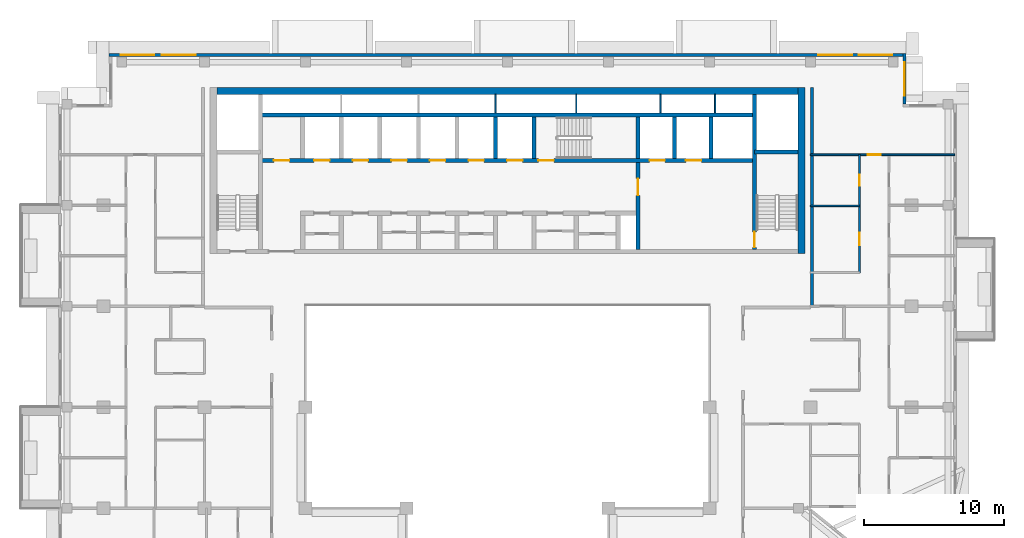
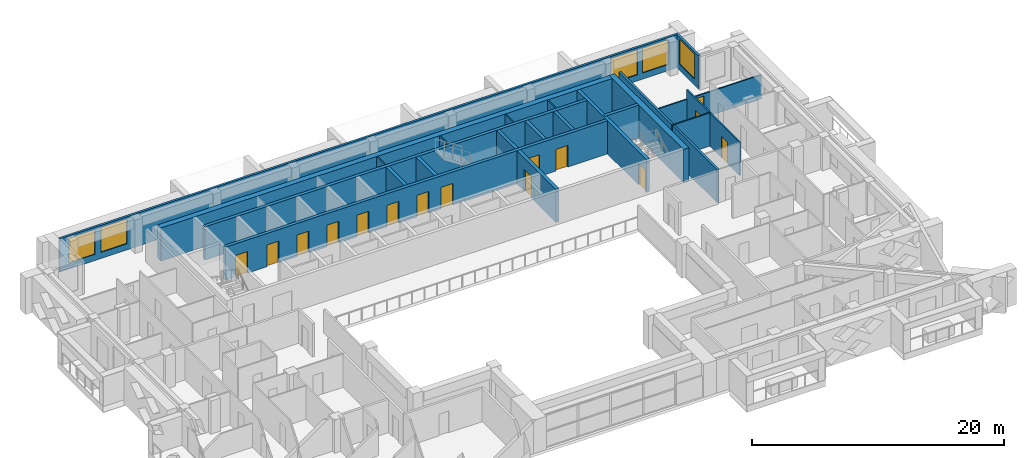
# One storey, part 11 of 19: 22 walls, 15 doors, 5 windows, 20 openings.
"""IFC4 building model written with IfcOpenShell, lengths in metres."""

from ifc_helpers import new_model, si_unit, direction, frame, frame_2d, origin, place, context, subcontext, project, spatial, rectangle, extrude, material, layer, layer_set, type_object, element, fill, save


model = new_model("IFC4")

# Units and contexts
model_context = context("Model", 3, precision=1e-05, world=origin(), true_north=direction((0.0, 1.0)))
body_context = subcontext(model_context, "Body", "Model", "MODEL_VIEW")
ifc_project = project(units=[si_unit("LENGTHUNIT", "METRE"), si_unit("AREAUNIT", "SQUARE_METRE"), si_unit("VOLUMEUNIT", "CUBIC_METRE"), si_unit("PLANEANGLEUNIT", "RADIAN"), si_unit("MASSUNIT", "GRAM", prefix="KILO")], contexts=[model_context])

# Site, building, storey
site_placement = place(None, origin())
site = spatial("IfcSite", under=ifc_project, at=site_placement, CompositionType="ELEMENT")
building_placement = place(site_placement, origin())
building = spatial("IfcBuilding", under=site, at=building_placement, Name="Saffron Iwan Residences", CompositionType="ELEMENT")
storey_placement = place(building_placement, frame((0.0, 0.0, 225.5)))
storey = spatial("IfcBuildingStorey", under=building, at=storey_placement, Name="L60", CompositionType="ELEMENT", Elevation=225.5)

# Wall, opening, window
ifc_material_1 = material(Name="Concrete C40/50", Category="concrete")
ifc_layer_1 = layer(ifc_material_1, 0.199951171875)
ifc_layer_set_1 = layer_set([ifc_layer_1], Name="Concrete C40/50")
wall_type_1 = type_object("IfcWallType", Name="EXTERNAL WALL 200", PredefinedType="SOLIDWALL", material=ifc_layer_set_1)
wall_1_placement = place(storey_placement, frame((78.699951171875, 76.800048828125, 0.0), z_axis=(0.0, 0.0, 1.0), x_axis=(0.0, 1.0, 0.0)))
wall_1 = element("IfcWall", 1, at=wall_1_placement, inside=storey, type_object=wall_type_1, Name="External wall L60 F4.0", PredefinedType="SOLIDWALL", context=body_context, shape_type="SweptSolid", body=[
    extrude(rectangle(XDim=3.599853515625, YDim=0.199951171875, at=frame_2d((1.7998046875, 0.0))), origin(), (0.0, 0.0, 1.0), 3.219970703125),
])
opening_1_placement = place(wall_1_placement, frame((0.60009765625, 0.0, 0.60009765625)))
opening_1 = element("IfcOpeningElement", 2, at=opening_1_placement, cuts=wall_1, Name="Opening W1", PredefinedType="OPENING", context=body_context, shape_type="SweptSolid", body=[
    extrude(rectangle(XDim=2.39990234375, YDim=2.39990234375, at=frame_2d((1.199951171875, 1.199951171875))), frame((0.0, 0.10986328125, 0.0), z_axis=(0.0, -1.0, 0.0), x_axis=(1.0, 0.0, 0.0)), (0.0, 0.0, 1.0), 0.219970703125),
])
ifc_material_2 = material(Name="Clear glass, laminated double glazed", Category="glass")
window_type = type_object("IfcWindowType", Name="WINDOW 2400 x 2400", PartitioningType="DOUBLE_PANEL_VERTICAL", PredefinedType="WINDOW", material=ifc_material_2)
window_1_placement = place(opening_1_placement, origin())
window_1 = element("IfcWindow", 3, at=window_1_placement, inside=storey, type_object=window_type, Name="Window L60 F4.0", OverallHeight=2.39990234375, OverallWidth=2.39990234375, PartitioningType="DOUBLE_PANEL_VERTICAL", PredefinedType="WINDOW", context=body_context, shape_type="SweptSolid", body=[
    extrude(rectangle(XDim=2.39990234375, YDim=2.39990234375, at=frame_2d((1.199951171875, 1.199951171875))), frame((0.0, 0.030029296875, 0.0), z_axis=(0.0, -1.0, 0.0), x_axis=(1.0, 0.0, 0.0)), (0.0, 0.0, 1.0), 0.06005859375),
])
fill(opening_1, window_1)

# Wall, openings, windows
wall_2_placement = place(storey_placement, frame((78.60009765625, 80.300048828125, 0.0), z_axis=(0.0, 0.0, 1.0), x_axis=(-1.0, 0.0, 0.0)))
wall_2 = element("IfcWall", 4, at=wall_2_placement, inside=storey, type_object=wall_type_1, Name="External wall L60 F5.0", PredefinedType="SOLIDWALL", context=body_context, shape_type="SweptSolid", body=[
    extrude(rectangle(XDim=56.60009765625, YDim=0.199951171875, at=frame_2d((28.300048828125, 0.0))), origin(), (0.0, 0.0, 1.0), 3.219970703125),
])
opening_2_placement = place(wall_2_placement, frame((50.433349609375, 0.0, 0.60009765625)))
opening_2 = element("IfcOpeningElement", 5, at=opening_2_placement, cuts=wall_2, Name="Opening W1", PredefinedType="OPENING", context=body_context, shape_type="SweptSolid", body=[
    extrude(rectangle(XDim=2.39990234375, YDim=2.39990234375, at=frame_2d((1.199951171875, 1.199951171875))), frame((0.0, 0.10986328125, 0.0), z_axis=(0.0, -1.0, 0.0), x_axis=(1.0, 0.0, 0.0)), (0.0, 0.0, 1.0), 0.219970703125),
])
opening_3_placement = place(wall_2_placement, frame((53.36669921875, 0.0, 0.60009765625)))
opening_3 = element("IfcOpeningElement", 6, at=opening_3_placement, cuts=wall_2, Name="Opening W1", PredefinedType="OPENING", context=body_context, shape_type="SweptSolid", body=[
    extrude(rectangle(XDim=2.39990234375, YDim=2.39990234375, at=frame_2d((1.199951171875, 1.199951171875))), frame((0.0, 0.10986328125, 0.0), z_axis=(0.0, -1.0, 0.0), x_axis=(1.0, 0.0, 0.0)), (0.0, 0.0, 1.0), 0.219970703125),
])
opening_4_placement = place(wall_2_placement, frame((0.7666015625, 0.0, 0.60009765625)))
opening_4 = element("IfcOpeningElement", 7, at=opening_4_placement, cuts=wall_2, Name="Opening W1", PredefinedType="OPENING", context=body_context, shape_type="SweptSolid", body=[
    extrude(rectangle(XDim=2.39990234375, YDim=2.39990234375, at=frame_2d((1.199951171875, 1.199951171875))), frame((0.0, 0.10986328125, 0.0), z_axis=(0.0, -1.0, 0.0), x_axis=(1.0, 0.0, 0.0)), (0.0, 0.0, 1.0), 0.219970703125),
])
opening_5_placement = place(wall_2_placement, frame((3.63330078125, 0.0, 0.60009765625)))
opening_5 = element("IfcOpeningElement", 8, at=opening_5_placement, cuts=wall_2, Name="Opening W1", PredefinedType="OPENING", context=body_context, shape_type="SweptSolid", body=[
    extrude(rectangle(XDim=2.39990234375, YDim=2.39990234375, at=frame_2d((1.199951171875, 1.199951171875))), frame((0.0, 0.10986328125, 0.0), z_axis=(0.0, -1.0, 0.0), x_axis=(1.0, 0.0, 0.0)), (0.0, 0.0, 1.0), 0.219970703125),
])
window_2_placement = place(opening_2_placement, origin())
window_2 = element("IfcWindow", 9, at=window_2_placement, inside=storey, type_object=window_type, Name="Window L60 F5.0", OverallHeight=2.39990234375, OverallWidth=2.39990234375, PartitioningType="DOUBLE_PANEL_VERTICAL", PredefinedType="WINDOW", context=body_context, shape_type="SweptSolid", body=[
    extrude(rectangle(XDim=2.39990234375, YDim=2.39990234375, at=frame_2d((1.199951171875, 1.199951171875))), frame((0.0, 0.030029296875, 0.0), z_axis=(0.0, -1.0, 0.0), x_axis=(1.0, 0.0, 0.0)), (0.0, 0.0, 1.0), 0.06005859375),
])
fill(opening_2, window_2)
window_3_placement = place(opening_3_placement, origin())
window_3 = element("IfcWindow", 10, at=window_3_placement, inside=storey, type_object=window_type, Name="Window L60 F5.1", OverallHeight=2.39990234375, OverallWidth=2.39990234375, PartitioningType="DOUBLE_PANEL_VERTICAL", PredefinedType="WINDOW", context=body_context, shape_type="SweptSolid", body=[
    extrude(rectangle(XDim=2.39990234375, YDim=2.39990234375, at=frame_2d((1.199951171875, 1.199951171875))), frame((0.0, 0.030029296875, 0.0), z_axis=(0.0, -1.0, 0.0), x_axis=(1.0, 0.0, 0.0)), (0.0, 0.0, 1.0), 0.06005859375),
])
fill(opening_3, window_3)
window_4_placement = place(opening_4_placement, origin())
window_4 = element("IfcWindow", 11, at=window_4_placement, inside=storey, type_object=window_type, Name="Window L60 F5.2", OverallHeight=2.39990234375, OverallWidth=2.39990234375, PartitioningType="DOUBLE_PANEL_VERTICAL", PredefinedType="WINDOW", context=body_context, shape_type="SweptSolid", body=[
    extrude(rectangle(XDim=2.39990234375, YDim=2.39990234375, at=frame_2d((1.199951171875, 1.199951171875))), frame((0.0, 0.030029296875, 0.0), z_axis=(0.0, -1.0, 0.0), x_axis=(1.0, 0.0, 0.0)), (0.0, 0.0, 1.0), 0.06005859375),
])
fill(opening_4, window_4)
window_5_placement = place(opening_5_placement, origin())
window_5 = element("IfcWindow", 12, at=window_5_placement, inside=storey, type_object=window_type, Name="Window L60 F5.3", OverallHeight=2.39990234375, OverallWidth=2.39990234375, PartitioningType="DOUBLE_PANEL_VERTICAL", PredefinedType="WINDOW", context=body_context, shape_type="SweptSolid", body=[
    extrude(rectangle(XDim=2.39990234375, YDim=2.39990234375, at=frame_2d((1.199951171875, 1.199951171875))), frame((0.0, 0.030029296875, 0.0), z_axis=(0.0, -1.0, 0.0), x_axis=(1.0, 0.0, 0.0)), (0.0, 0.0, 1.0), 0.06005859375),
])
fill(opening_5, window_5)

# Wall
ifc_material_3 = material(Name="Gypsum board partition")
ifc_layer_2 = layer(ifc_material_3, 0.1201171875)
ifc_layer_set_2 = layer_set([ifc_layer_2], Name="Gypsum board partition")
wall_type_2 = type_object("IfcWallType", Name="Flat partition 120", PredefinedType="PARTITIONING", material=ifc_layer_set_2)
wall_3_placement = place(storey_placement, frame((72.0, 69.550048828125, 0.0), z_axis=(0.0, 0.0, 1.0), x_axis=(1.0, 0.0, 0.0)))
element("IfcWall", 13, at=wall_3_placement, inside=storey, type_object=wall_type_2, Name="W-L60-PART-h69.55-72", PredefinedType="PARTITIONING", context=body_context, shape_type="SweptSolid", body=[
    extrude(rectangle(XDim=3.5, YDim=0.1201171875, at=frame_2d((1.75, 0.0))), origin(), (0.0, 0.0, 1.0), 3.219970703125),
])

# Wall, opening, door
wall_4_placement = place(storey_placement, frame((72.0, 73.199951171875, 0.0), z_axis=(0.0, 0.0, 1.0), x_axis=(1.0, 0.0, 0.0)))
wall_4 = element("IfcWall", 14, at=wall_4_placement, inside=storey, type_object=wall_type_2, Name="W-L60-PART-h73.2-72", PredefinedType="PARTITIONING", context=body_context, shape_type="SweptSolid", body=[
    extrude(rectangle(XDim=10.27490234375, YDim=0.1201171875, at=frame_2d((5.137451171875, 0.0))), origin(), (0.0, 0.0, 1.0), 2.320068359375),
])
opening_6_placement = place(wall_4_placement, frame((4.10009765625, 0.0, 0.0)))
opening_6 = element("IfcOpeningElement", 15, at=opening_6_placement, cuts=wall_4, Name="Opening FD2", PredefinedType="OPENING", context=body_context, shape_type="SweptSolid", body=[
    extrude(rectangle(XDim=0.89990234375, YDim=2.10009765625, at=frame_2d((0.449951171875, 1.050048828125))), frame((0.0, 0.070068359375, 0.0), z_axis=(0.0, -1.0, 0.0), x_axis=(1.0, 0.0, 0.0)), (0.0, 0.0, 1.0), 0.14013671875),
])
ifc_material_4 = material(Name="Timber door", Category="wood")
door_type_1 = type_object("IfcDoorType", Name="Flat door 900", OperationType="NOTDEFINED", PredefinedType="DOOR", material=ifc_material_4)
door_1_placement = place(opening_6_placement, origin())
door_1 = element("IfcDoor", 16, at=door_1_placement, inside=storey, type_object=door_type_1, Name="Door L60-037", OperationType="SINGLE_SWING_RIGHT", OverallHeight=2.10009765625, OverallWidth=0.89990234375, PredefinedType="DOOR", context=body_context, shape_type="SweptSolid", body=[
    extrude(rectangle(XDim=0.89990234375, YDim=2.10009765625, at=frame_2d((0.449951171875, 1.050048828125))), frame((0.0, 0.02490234375, 0.0), z_axis=(0.0, -1.0, 0.0), x_axis=(1.0, 0.0, 0.0)), (0.0, 0.0, 1.0), 0.050048828125),
])
fill(opening_6, door_1)

# Wall, openings, doors
wall_5_placement = place(storey_placement, frame((75.5, 64.800048828125, 0.0), z_axis=(0.0, 0.0, 1.0), x_axis=(0.0, 1.0, 0.0)))
wall_5 = element("IfcWall", 17, at=wall_5_placement, inside=storey, type_object=wall_type_2, Name="W-L60-PART-v75.5-64.8", PredefinedType="PARTITIONING", context=body_context, shape_type="SweptSolid", body=[
    extrude(rectangle(XDim=8.39990234375, YDim=0.1201171875, at=frame_2d((4.199951171875, 0.0))), origin(), (0.0, 0.0, 1.0), 3.219970703125),
])
opening_7_placement = place(wall_5_placement, frame((1.925048828125, 0.0, 0.0)))
opening_7 = element("IfcOpeningElement", 18, at=opening_7_placement, cuts=wall_5, Name="Opening FD2", PredefinedType="OPENING", context=body_context, shape_type="SweptSolid", body=[
    extrude(rectangle(XDim=0.89990234375, YDim=2.10009765625, at=frame_2d((0.449951171875, 1.050048828125))), frame((0.0, 0.070068359375, 0.0), z_axis=(0.0, -1.0, 0.0), x_axis=(1.0, 0.0, 0.0)), (0.0, 0.0, 1.0), 0.14013671875),
])
opening_8_placement = place(wall_5_placement, frame((6.175048828125, 0.0, 0.0)))
opening_8 = element("IfcOpeningElement", 19, at=opening_8_placement, cuts=wall_5, Name="Opening FD3", PredefinedType="OPENING", context=body_context, shape_type="SweptSolid", body=[
    extrude(rectangle(XDim=0.800048828125, YDim=2.10009765625, at=frame_2d((0.39990234375, 1.050048828125))), frame((0.0, 0.070068359375, 0.0), z_axis=(0.0, -1.0, 0.0), x_axis=(1.0, 0.0, 0.0)), (0.0, 0.0, 1.0), 0.14013671875),
])
door_type_2 = type_object("IfcDoorType", Name="Bathroom door 800", OperationType="NOTDEFINED", PredefinedType="DOOR", material=ifc_material_4)
door_2_placement = place(opening_8_placement, origin())
door_2 = element("IfcDoor", 20, at=door_2_placement, inside=storey, type_object=door_type_2, Name="Door L60-039", OperationType="SINGLE_SWING_LEFT", OverallHeight=2.10009765625, OverallWidth=0.800048828125, PredefinedType="DOOR", context=body_context, shape_type="SweptSolid", body=[
    extrude(rectangle(XDim=0.800048828125, YDim=2.10009765625, at=frame_2d((0.39990234375, 1.050048828125))), frame((0.0, 0.02490234375, 0.0), z_axis=(0.0, -1.0, 0.0), x_axis=(1.0, 0.0, 0.0)), (0.0, 0.0, 1.0), 0.050048828125),
])
fill(opening_8, door_2)
door_3_placement = place(opening_7_placement, origin())
door_3 = element("IfcDoor", 21, at=door_3_placement, inside=storey, type_object=door_type_1, Name="Door L60-038", OperationType="SINGLE_SWING_LEFT", OverallHeight=2.10009765625, OverallWidth=0.89990234375, PredefinedType="DOOR", context=body_context, shape_type="SweptSolid", body=[
    extrude(rectangle(XDim=0.89990234375, YDim=2.10009765625, at=frame_2d((0.449951171875, 1.050048828125))), frame((0.0, 0.02490234375, 0.0), z_axis=(0.0, -1.0, 0.0), x_axis=(1.0, 0.0, 0.0)), (0.0, 0.0, 1.0), 0.050048828125),
])
fill(opening_7, door_3)

# Walls
ifc_material_5 = material(Name="Fire-rated gypsum board wall")
ifc_layer_3 = layer(ifc_material_5, 0.199951171875)
ifc_layer_set_3 = layer_set([ifc_layer_3], Name="Fire-rated gypsum board wall")
wall_type_3 = type_object("IfcWallType", Name="Gallery wall 200", PredefinedType="SOLIDWALL", material=ifc_layer_set_3)
wall_6_placement = place(storey_placement, frame((72.10009765625, 62.39990234375, 0.0), z_axis=(0.0, 0.0, 1.0), x_axis=(0.0, 1.0, 0.0)))
element("IfcWall", 22, at=wall_6_placement, inside=storey, type_object=wall_type_3, Name="W-L60-CORR-v72-62.4", PredefinedType="SOLIDWALL", context=body_context, shape_type="SweptSolid", body=[
    extrude(rectangle(XDim=15.60009765625, YDim=0.199951171875, at=frame_2d((7.800048828125, 0.0))), origin(), (0.0, 0.0, 1.0), 3.219970703125),
])
ifc_material_6 = material(Name="Fire-rated plasterboard partition")
ifc_layer_4 = layer(ifc_material_6, 0.10009765625)
ifc_layer_set_4 = layer_set([ifc_layer_4], Name="Fire-rated plasterboard partition")
wall_type_4 = type_object("IfcWallType", Name="Riser partition 100", PredefinedType="PARTITIONING", material=ifc_layer_set_4)
for number, where, z_axis, x_axis, name in (
    (23, (49.550048828125, 76.175048828125, 0.0), (0.0, 0.0, 1.0), (0.0, 1.0, 0.0), "Core partition P09"),
    (24, (55.300048828125, 76.175048828125, 0.0), (0.0, 0.0, 1.0), (0.0, 1.0, 0.0), "Core partition P10"),
    (25, (61.300048828125, 76.175048828125, 0.0), (0.0, 0.0, 1.0), (0.0, 1.0, 0.0), "Core partition P11"),
    (26, (65.199951171875, 76.175048828125, 0.0), (0.0, 0.0, 1.0), (0.0, 1.0, 0.0), "Core partition P12"),
):
    element("IfcWall", number, at=place(storey_placement, frame(where, z_axis=z_axis, x_axis=x_axis)), inside=storey, type_object=wall_type_4, Name=name, PredefinedType="PARTITIONING", context=body_context, shape_type="SweptSolid", body=[
        extrude(rectangle(XDim=1.324951171875, YDim=0.10009765625, at=frame_2d((0.66259765625, 0.0))), origin(), (0.0, 0.0, 1.0), 3.219970703125),
    ])

# Wall, openings, doors
ifc_layer_5 = layer(ifc_material_1, 0.300048828125)
ifc_layer_set_5 = layer_set([ifc_layer_5], Name="Concrete C40/50")
wall_type_5 = type_object("IfcWallType", Name="WALL CORE 300 C40/50 3220 HIGH", PredefinedType="SHEAR", material=ifc_layer_set_5)
wall_7_placement = place(storey_placement, frame((32.800048828125, 72.77490234375, 0.0), z_axis=(0.0, 0.0, 1.0), x_axis=(1.0, 0.0, 0.0)))
wall_7 = element("IfcWall", 27, at=wall_7_placement, inside=storey, type_object=wall_type_5, Name="Core wall", PredefinedType="SHEAR", context=body_context, shape_type="SweptSolid", body=[
    extrude(rectangle(XDim=35.199951171875, YDim=0.300048828125, at=frame_2d((17.60009765625, 0.0))), origin(), (0.0, 0.0, 1.0), 3.219970703125),
])
opening_9_placement = place(wall_7_placement, frame((19.800048828125, 0.0, 0.0)))
opening_9 = element("IfcOpeningElement", 28, at=opening_9_placement, cuts=wall_7, Name="Opening SD", PredefinedType="OPENING", context=body_context, shape_type="SweptSolid", body=[
    extrude(rectangle(XDim=1.10009765625, YDim=2.10009765625, at=frame_2d((0.550048828125, 1.050048828125))), frame((0.0, 0.16015625, 0.0), z_axis=(0.0, -1.0, 0.0), x_axis=(1.0, 0.0, 0.0)), (0.0, 0.0, 1.0), 0.320068359375),
])
opening_10_placement = place(wall_7_placement, frame((27.72509765625, 0.0, 0.0)))
opening_10 = element("IfcOpeningElement", 29, at=opening_10_placement, cuts=wall_7, Name="Opening LD", PredefinedType="OPENING", context=body_context, shape_type="SweptSolid", body=[
    extrude(rectangle(XDim=1.10009765625, YDim=2.10009765625, at=frame_2d((0.550048828125, 1.050048828125))), frame((0.0, 0.16015625, 0.0), z_axis=(0.0, -1.0, 0.0), x_axis=(1.0, 0.0, 0.0)), (0.0, 0.0, 1.0), 0.320068359375),
])
opening_11_placement = place(wall_7_placement, frame((30.324951171875, 0.0, 0.0)))
opening_11 = element("IfcOpeningElement", 30, at=opening_11_placement, cuts=wall_7, Name="Opening LD", PredefinedType="OPENING", context=body_context, shape_type="SweptSolid", body=[
    extrude(rectangle(XDim=1.10009765625, YDim=2.10009765625, at=frame_2d((0.550048828125, 1.050048828125))), frame((0.0, 0.16015625, 0.0), z_axis=(0.0, -1.0, 0.0), x_axis=(1.0, 0.0, 0.0)), (0.0, 0.0, 1.0), 0.320068359375),
])
opening_12_placement = place(wall_7_placement, frame((3.824951171875, 0.0, 0.0)))
opening_12 = element("IfcOpeningElement", 31, at=opening_12_placement, cuts=wall_7, Name="Opening LD", PredefinedType="OPENING", context=body_context, shape_type="SweptSolid", body=[
    extrude(rectangle(XDim=1.10009765625, YDim=2.10009765625, at=frame_2d((0.550048828125, 1.050048828125))), frame((0.0, 0.16015625, 0.0), z_axis=(0.0, -1.0, 0.0), x_axis=(1.0, 0.0, 0.0)), (0.0, 0.0, 1.0), 0.320068359375),
])
opening_13_placement = place(wall_7_placement, frame((6.574951171875, 0.0, 0.0)))
opening_13 = element("IfcOpeningElement", 32, at=opening_13_placement, cuts=wall_7, Name="Opening LD", PredefinedType="OPENING", context=body_context, shape_type="SweptSolid", body=[
    extrude(rectangle(XDim=1.10009765625, YDim=2.10009765625, at=frame_2d((0.550048828125, 1.050048828125))), frame((0.0, 0.16015625, 0.0), z_axis=(0.0, -1.0, 0.0), x_axis=(1.0, 0.0, 0.0)), (0.0, 0.0, 1.0), 0.320068359375),
])
opening_14_placement = place(wall_7_placement, frame((9.324951171875, 0.0, 0.0)))
opening_14 = element("IfcOpeningElement", 33, at=opening_14_placement, cuts=wall_7, Name="Opening LD", PredefinedType="OPENING", context=body_context, shape_type="SweptSolid", body=[
    extrude(rectangle(XDim=1.10009765625, YDim=2.10009765625, at=frame_2d((0.550048828125, 1.050048828125))), frame((0.0, 0.16015625, 0.0), z_axis=(0.0, -1.0, 0.0), x_axis=(1.0, 0.0, 0.0)), (0.0, 0.0, 1.0), 0.320068359375),
])
opening_15_placement = place(wall_7_placement, frame((12.074951171875, 0.0, 0.0)))
opening_15 = element("IfcOpeningElement", 34, at=opening_15_placement, cuts=wall_7, Name="Opening LD", PredefinedType="OPENING", context=body_context, shape_type="SweptSolid", body=[
    extrude(rectangle(XDim=1.10009765625, YDim=2.10009765625, at=frame_2d((0.550048828125, 1.050048828125))), frame((0.0, 0.16015625, 0.0), z_axis=(0.0, -1.0, 0.0), x_axis=(1.0, 0.0, 0.0)), (0.0, 0.0, 1.0), 0.320068359375),
])
opening_16_placement = place(wall_7_placement, frame((14.824951171875, 0.0, 0.0)))
opening_16 = element("IfcOpeningElement", 35, at=opening_16_placement, cuts=wall_7, Name="Opening LD", PredefinedType="OPENING", context=body_context, shape_type="SweptSolid", body=[
    extrude(rectangle(XDim=1.10009765625, YDim=2.10009765625, at=frame_2d((0.550048828125, 1.050048828125))), frame((0.0, 0.16015625, 0.0), z_axis=(0.0, -1.0, 0.0), x_axis=(1.0, 0.0, 0.0)), (0.0, 0.0, 1.0), 0.320068359375),
])
opening_17_placement = place(wall_7_placement, frame((17.574951171875, 0.0, 0.0)))
opening_17 = element("IfcOpeningElement", 36, at=opening_17_placement, cuts=wall_7, Name="Opening LD", PredefinedType="OPENING", context=body_context, shape_type="SweptSolid", body=[
    extrude(rectangle(XDim=1.10009765625, YDim=2.10009765625, at=frame_2d((0.550048828125, 1.050048828125))), frame((0.0, 0.16015625, 0.0), z_axis=(0.0, -1.0, 0.0), x_axis=(1.0, 0.0, 0.0)), (0.0, 0.0, 1.0), 0.320068359375),
])
opening_18_placement = place(wall_7_placement, frame((0.949951171875, 0.0, 0.0)))
opening_18 = element("IfcOpeningElement", 37, at=opening_18_placement, cuts=wall_7, Name="Opening SR", PredefinedType="OPENING", context=body_context, shape_type="SweptSolid", body=[
    extrude(rectangle(XDim=1.10009765625, YDim=2.10009765625, at=frame_2d((0.550048828125, 1.050048828125))), frame((0.0, 0.16015625, 0.0), z_axis=(0.0, -1.0, 0.0), x_axis=(1.0, 0.0, 0.0)), (0.0, 0.0, 1.0), 0.320068359375),
])
ifc_material_7 = material(Name="Steel fire door", Category="steel")
door_type_3 = type_object("IfcDoorType", Name="Lift landing door 1100", OperationType="SLIDING_TO_LEFT", PredefinedType="DOOR", material=ifc_material_7)
door_4_placement = place(opening_10_placement, origin())
door_4 = element("IfcDoor", 38, at=door_4_placement, inside=storey, type_object=door_type_3, Name="Landing doors FF1", OperationType="SLIDING_TO_LEFT", OverallHeight=2.10009765625, OverallWidth=1.10009765625, PredefinedType="DOOR", context=body_context, shape_type="SweptSolid", body=[
    extrude(rectangle(XDim=1.10009765625, YDim=2.10009765625, at=frame_2d((0.550048828125, 1.050048828125))), frame((0.0, 0.02490234375, 0.0), z_axis=(0.0, -1.0, 0.0), x_axis=(1.0, 0.0, 0.0)), (0.0, 0.0, 1.0), 0.050048828125),
])
fill(opening_10, door_4)
door_5_placement = place(opening_11_placement, origin())
door_5 = element("IfcDoor", 39, at=door_5_placement, inside=storey, type_object=door_type_3, Name="Landing doors FF2", OperationType="SLIDING_TO_LEFT", OverallHeight=2.10009765625, OverallWidth=1.10009765625, PredefinedType="DOOR", context=body_context, shape_type="SweptSolid", body=[
    extrude(rectangle(XDim=1.10009765625, YDim=2.10009765625, at=frame_2d((0.550048828125, 1.050048828125))), frame((0.0, 0.02490234375, 0.0), z_axis=(0.0, -1.0, 0.0), x_axis=(1.0, 0.0, 0.0)), (0.0, 0.0, 1.0), 0.050048828125),
])
fill(opening_11, door_5)
door_6_placement = place(opening_12_placement, origin())
door_6 = element("IfcDoor", 40, at=door_6_placement, inside=storey, type_object=door_type_3, Name="Landing doors HR1", OperationType="SLIDING_TO_LEFT", OverallHeight=2.10009765625, OverallWidth=1.10009765625, PredefinedType="DOOR", context=body_context, shape_type="SweptSolid", body=[
    extrude(rectangle(XDim=1.10009765625, YDim=2.10009765625, at=frame_2d((0.550048828125, 1.050048828125))), frame((0.0, 0.02490234375, 0.0), z_axis=(0.0, -1.0, 0.0), x_axis=(1.0, 0.0, 0.0)), (0.0, 0.0, 1.0), 0.050048828125),
])
fill(opening_12, door_6)
door_7_placement = place(opening_13_placement, origin())
door_7 = element("IfcDoor", 41, at=door_7_placement, inside=storey, type_object=door_type_3, Name="Landing doors HR2", OperationType="SLIDING_TO_LEFT", OverallHeight=2.10009765625, OverallWidth=1.10009765625, PredefinedType="DOOR", context=body_context, shape_type="SweptSolid", body=[
    extrude(rectangle(XDim=1.10009765625, YDim=2.10009765625, at=frame_2d((0.550048828125, 1.050048828125))), frame((0.0, 0.02490234375, 0.0), z_axis=(0.0, -1.0, 0.0), x_axis=(1.0, 0.0, 0.0)), (0.0, 0.0, 1.0), 0.050048828125),
])
fill(opening_13, door_7)
door_8_placement = place(opening_14_placement, origin())
door_8 = element("IfcDoor", 42, at=door_8_placement, inside=storey, type_object=door_type_3, Name="Landing doors HR3", OperationType="SLIDING_TO_LEFT", OverallHeight=2.10009765625, OverallWidth=1.10009765625, PredefinedType="DOOR", context=body_context, shape_type="SweptSolid", body=[
    extrude(rectangle(XDim=1.10009765625, YDim=2.10009765625, at=frame_2d((0.550048828125, 1.050048828125))), frame((0.0, 0.02490234375, 0.0), z_axis=(0.0, -1.0, 0.0), x_axis=(1.0, 0.0, 0.0)), (0.0, 0.0, 1.0), 0.050048828125),
])
fill(opening_14, door_8)
door_9_placement = place(opening_15_placement, origin())
door_9 = element("IfcDoor", 43, at=door_9_placement, inside=storey, type_object=door_type_3, Name="Landing doors HR4", OperationType="SLIDING_TO_LEFT", OverallHeight=2.10009765625, OverallWidth=1.10009765625, PredefinedType="DOOR", context=body_context, shape_type="SweptSolid", body=[
    extrude(rectangle(XDim=1.10009765625, YDim=2.10009765625, at=frame_2d((0.550048828125, 1.050048828125))), frame((0.0, 0.02490234375, 0.0), z_axis=(0.0, -1.0, 0.0), x_axis=(1.0, 0.0, 0.0)), (0.0, 0.0, 1.0), 0.050048828125),
])
fill(opening_15, door_9)
door_10_placement = place(opening_16_placement, origin())
door_10 = element("IfcDoor", 44, at=door_10_placement, inside=storey, type_object=door_type_3, Name="Landing doors HR5", OperationType="SLIDING_TO_LEFT", OverallHeight=2.10009765625, OverallWidth=1.10009765625, PredefinedType="DOOR", context=body_context, shape_type="SweptSolid", body=[
    extrude(rectangle(XDim=1.10009765625, YDim=2.10009765625, at=frame_2d((0.550048828125, 1.050048828125))), frame((0.0, 0.02490234375, 0.0), z_axis=(0.0, -1.0, 0.0), x_axis=(1.0, 0.0, 0.0)), (0.0, 0.0, 1.0), 0.050048828125),
])
fill(opening_16, door_10)
door_11_placement = place(opening_17_placement, origin())
door_11 = element("IfcDoor", 45, at=door_11_placement, inside=storey, type_object=door_type_3, Name="Landing doors HR6", OperationType="SLIDING_TO_LEFT", OverallHeight=2.10009765625, OverallWidth=1.10009765625, PredefinedType="DOOR", context=body_context, shape_type="SweptSolid", body=[
    extrude(rectangle(XDim=1.10009765625, YDim=2.10009765625, at=frame_2d((0.550048828125, 1.050048828125))), frame((0.0, 0.02490234375, 0.0), z_axis=(0.0, -1.0, 0.0), x_axis=(1.0, 0.0, 0.0)), (0.0, 0.0, 1.0), 0.050048828125),
])
fill(opening_17, door_11)
door_type_4 = type_object("IfcDoorType", Name="Service door 1100", OperationType="NOTDEFINED", PredefinedType="DOOR", material=ifc_material_7)
door_12_placement = place(opening_18_placement, origin())
door_12 = element("IfcDoor", 46, at=door_12_placement, inside=storey, type_object=door_type_4, Name="Door Caretaker's room", OperationType="SINGLE_SWING_LEFT", OverallHeight=2.10009765625, OverallWidth=1.10009765625, PredefinedType="DOOR", context=body_context, shape_type="SweptSolid", body=[
    extrude(rectangle(XDim=1.10009765625, YDim=2.10009765625, at=frame_2d((0.550048828125, 1.050048828125))), frame((0.0, 0.02490234375, 0.0), z_axis=(0.0, -1.0, 0.0), x_axis=(1.0, 0.0, 0.0)), (0.0, 0.0, 1.0), 0.050048828125),
])
fill(opening_18, door_12)
door_type_5 = type_object("IfcDoorType", Name="Stair door 1100", OperationType="NOTDEFINED", PredefinedType="DOOR", material=ifc_material_7)
door_13_placement = place(opening_9_placement, origin())
door_13 = element("IfcDoor", 47, at=door_13_placement, inside=storey, type_object=door_type_5, Name="Stair door ST-C", OperationType="SINGLE_SWING_LEFT", OverallHeight=2.10009765625, OverallWidth=1.10009765625, PredefinedType="DOOR", context=body_context, shape_type="SweptSolid", body=[
    extrude(rectangle(XDim=1.10009765625, YDim=2.10009765625, at=frame_2d((0.550048828125, 1.050048828125))), frame((0.0, 0.02490234375, 0.0), z_axis=(0.0, -1.0, 0.0), x_axis=(1.0, 0.0, 0.0)), (0.0, 0.0, 1.0), 0.050048828125),
])
fill(opening_9, door_13)

# Walls
wall_8_placement = place(storey_placement, frame((32.800048828125, 76.02490234375, 0.0), z_axis=(0.0, 0.0, 1.0), x_axis=(1.0, 0.0, 0.0)))
element("IfcWall", 48, at=wall_8_placement, inside=storey, type_object=wall_type_5, Name="Core wall", PredefinedType="SHEAR", context=body_context, shape_type="SweptSolid", body=[
    extrude(rectangle(XDim=35.199951171875, YDim=0.300048828125, at=frame_2d((17.60009765625, 0.0))), origin(), (0.0, 0.0, 1.0), 3.219970703125),
])
wall_9_placement = place(storey_placement, frame((68.0, 73.39990234375, 0.0), z_axis=(0.0, 0.0, 1.0), x_axis=(1.0, 0.0, 0.0)))
element("IfcWall", 49, at=wall_9_placement, inside=storey, type_object=wall_type_5, Name="Core wall", PredefinedType="SHEAR", context=body_context, shape_type="SweptSolid", body=[
    extrude(rectangle(XDim=3.10009765625, YDim=0.300048828125, at=frame_2d((1.550048828125, 0.0))), origin(), (0.0, 0.0, 1.0), 3.219970703125),
])

# Wall, opening, door
wall_10_placement = place(storey_placement, frame((68.0, 66.449951171875, 0.0), z_axis=(0.0, 0.0, 1.0), x_axis=(0.0, 1.0, 0.0)))
wall_10 = element("IfcWall", 50, at=wall_10_placement, inside=storey, type_object=wall_type_5, Name="Core wall", PredefinedType="SHEAR", context=body_context, shape_type="SweptSolid", body=[
    extrude(rectangle(XDim=11.050048828125, YDim=0.300048828125, at=frame_2d((5.52490234375, 0.0))), origin(), (0.0, 0.0, 1.0), 3.219970703125),
])
opening_19_placement = place(wall_10_placement, frame((0.14990234375, 0.0, 0.0)))
opening_19 = element("IfcOpeningElement", 51, at=opening_19_placement, cuts=wall_10, Name="Opening SD", PredefinedType="OPENING", context=body_context, shape_type="SweptSolid", body=[
    extrude(rectangle(XDim=1.10009765625, YDim=2.10009765625, at=frame_2d((0.550048828125, 1.050048828125))), frame((0.0, 0.16015625, 0.0), z_axis=(0.0, -1.0, 0.0), x_axis=(1.0, 0.0, 0.0)), (0.0, 0.0, 1.0), 0.320068359375),
])
door_14_placement = place(opening_19_placement, origin())
door_14 = element("IfcDoor", 52, at=door_14_placement, inside=storey, type_object=door_type_5, Name="Stair door ST-E", OperationType="SINGLE_SWING_RIGHT", OverallHeight=2.10009765625, OverallWidth=1.10009765625, PredefinedType="DOOR", context=body_context, shape_type="SweptSolid", body=[
    extrude(rectangle(XDim=1.10009765625, YDim=2.10009765625, at=frame_2d((0.550048828125, 1.050048828125))), frame((0.0, 0.02490234375, 0.0), z_axis=(0.0, -1.0, 0.0), x_axis=(1.0, 0.0, 0.0)), (0.0, 0.0, 1.0), 0.050048828125),
])
fill(opening_19, door_14)

wall_11_placement = place(storey_placement, frame((59.699951171875, 66.449951171875, 0.0), z_axis=(0.0, 0.0, 1.0), x_axis=(0.0, 1.0, 0.0)))
wall_11 = element("IfcWall", 53, at=wall_11_placement, inside=storey, type_object=wall_type_5, Name="Core wall", PredefinedType="SHEAR", context=body_context, shape_type="SweptSolid", body=[
    extrude(rectangle(XDim=6.175048828125, YDim=0.300048828125, at=frame_2d((3.08740234375, 0.0))), origin(), (0.0, 0.0, 1.0), 3.219970703125),
])
opening_20_placement = place(wall_11_placement, frame((3.85009765625, 0.0, 0.0)))
opening_20 = element("IfcOpeningElement", 54, at=opening_20_placement, cuts=wall_11, Name="Opening FD", PredefinedType="OPENING", context=body_context, shape_type="SweptSolid", body=[
    extrude(rectangle(XDim=1.199951171875, YDim=2.10009765625, at=frame_2d((0.60009765625, 1.050048828125))), frame((0.0, 0.16015625, 0.0), z_axis=(0.0, -1.0, 0.0), x_axis=(1.0, 0.0, 0.0)), (0.0, 0.0, 1.0), 0.320068359375),
])
door_type_6 = type_object("IfcDoorType", Name="Firefighting lobby door 1200", OperationType="NOTDEFINED", PredefinedType="DOOR", material=ifc_material_7)
door_15_placement = place(opening_20_placement, origin())
door_15 = element("IfcDoor", 55, at=door_15_placement, inside=storey, type_object=door_type_6, Name="Firefighting lobby door", OperationType="SINGLE_SWING_LEFT", OverallHeight=2.10009765625, OverallWidth=1.199951171875, PredefinedType="DOOR", context=body_context, shape_type="SweptSolid", body=[
    extrude(rectangle(XDim=1.199951171875, YDim=2.10009765625, at=frame_2d((0.60009765625, 1.050048828125))), frame((0.0, 0.02490234375, 0.0), z_axis=(0.0, -1.0, 0.0), x_axis=(1.0, 0.0, 0.0)), (0.0, 0.0, 1.0), 0.050048828125),
])
fill(opening_20, door_15)

# Walls
for number, where, z_axis, x_axis, name in (
    (56, (59.699951171875, 72.925048828125, 0.0), (0.0, 0.0, 1.0), (0.0, 1.0, 0.0), "Core wall"),
    (57, (49.550048828125, 72.925048828125, 0.0), (0.0, 0.0, 1.0), (0.0, 1.0, 0.0), "Core wall"),
    (58, (52.300048828125, 72.925048828125, 0.0), (0.0, 0.0, 1.0), (0.0, 1.0, 0.0), "Core wall"),
    (59, (62.300048828125, 72.925048828125, 0.0), (0.0, 0.0, 1.0), (0.0, 1.0, 0.0), "Core wall"),
    (60, (64.89990234375, 72.925048828125, 0.0), (0.0, 0.0, 1.0), (0.0, 1.0, 0.0), "Core wall"),
):
    element("IfcWall", number, at=place(storey_placement, frame(where, z_axis=z_axis, x_axis=x_axis)), inside=storey, type_object=wall_type_5, Name=name, PredefinedType="SHEAR", context=body_context, shape_type="SweptSolid", body=[
        extrude(rectangle(XDim=2.949951171875, YDim=0.300048828125, at=frame_2d((1.47509765625, 0.0))), origin(), (0.0, 0.0, 1.0), 3.219970703125),
    ])
ifc_layer_6 = layer(ifc_material_1, 0.5)
ifc_layer_set_6 = layer_set([ifc_layer_6], Name="Concrete C40/50")
wall_type_6 = type_object("IfcWallType", Name="WALL CORE 500 C40/50 3220 HIGH", PredefinedType="SHEAR", material=ifc_layer_set_6)
wall_12_placement = place(storey_placement, frame((71.35009765625, 66.14990234375, 0.0), z_axis=(0.0, 0.0, 1.0), x_axis=(0.0, 1.0, 0.0)))
element("IfcWall", 61, at=wall_12_placement, inside=storey, type_object=wall_type_6, Name="Core wall", PredefinedType="SHEAR", context=body_context, shape_type="SweptSolid", body=[
    extrude(rectangle(XDim=11.85009765625, YDim=0.5, at=frame_2d((5.925048828125, 0.0))), origin(), (0.0, 0.0, 1.0), 3.219970703125),
])
wall_13_placement = place(storey_placement, frame((29.699951171875, 77.75, 0.0), z_axis=(0.0, 0.0, 1.0), x_axis=(1.0, 0.0, 0.0)))
element("IfcWall", 62, at=wall_13_placement, inside=storey, type_object=wall_type_6, Name="Core wall", PredefinedType="SHEAR", context=body_context, shape_type="SweptSolid", body=[
    extrude(rectangle(XDim=41.400146484375, YDim=0.5, at=frame_2d((20.7001953125, 0.0))), origin(), (0.0, 0.0, 1.0), 3.219970703125),
])

save(model, "model.ifc")
